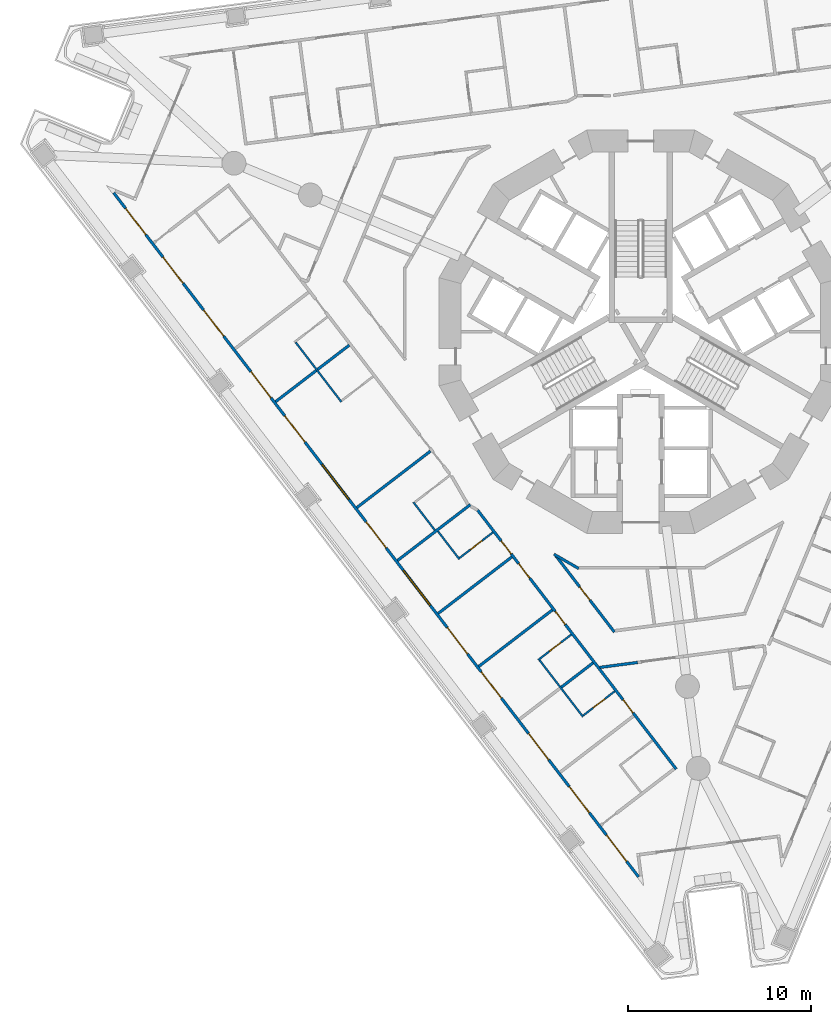
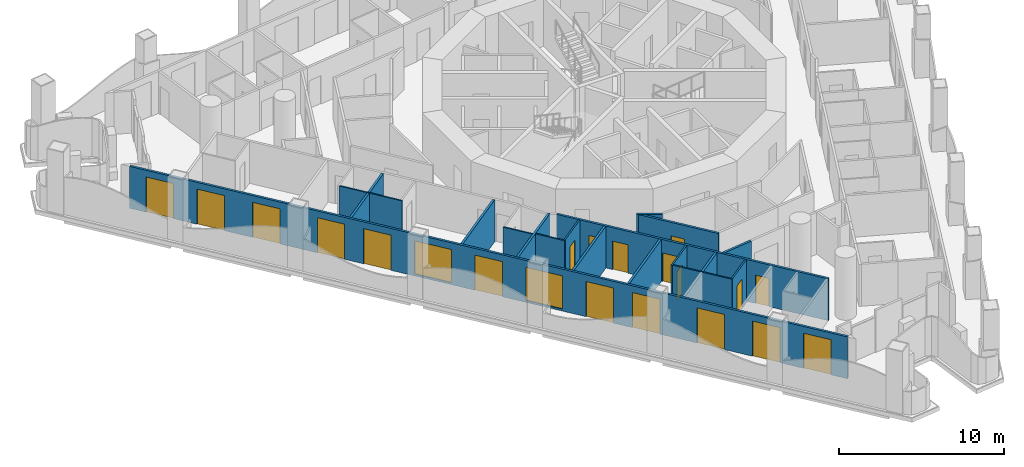
# One storey, part 2 of 19: 19 doors, 18 walls, 2 windows, 21 openings.
"""IFC4 building model written with IfcOpenShell, lengths in metres."""

from ifc_helpers import new_model, si_unit, direction, frame, frame_2d, origin, place, context, subcontext, project, spatial, polyline, rectangle, outline, extrude, material, layer, layer_set, type_object, element, fill, save


model = new_model("IFC4")

# Units and contexts
model_context = context("Model", 3, precision=1e-05, world=origin(), true_north=direction((0.0, 1.0)))
body_context = subcontext(model_context, "Body", "Model", "MODEL_VIEW")
ifc_project = project(units=[si_unit("LENGTHUNIT", "METRE"), si_unit("AREAUNIT", "SQUARE_METRE"), si_unit("VOLUMEUNIT", "CUBIC_METRE"), si_unit("PLANEANGLEUNIT", "RADIAN"), si_unit("MASSUNIT", "GRAM", prefix="KILO")], contexts=[model_context])

# Site, building, storey
site_placement = place(None, origin())
site = spatial("IfcSite", under=ifc_project, at=site_placement, CompositionType="ELEMENT")
building_placement = place(site_placement, origin())
building = spatial("IfcBuilding", under=site, at=building_placement, Name="Trine Commons Tower", CompositionType="ELEMENT")
storey_placement = place(building_placement, frame((0.0, 0.0, 79.199951171875)))
storey = spatial("IfcBuildingStorey", under=building, at=storey_placement, Name="L19", CompositionType="ELEMENT", Elevation=79.199951171875)

# Wall, openings, windows, doors
ifc_material_1 = material(Name="Aluminium-framed insulated wall panel", Category="aluminium")
ifc_layer_1 = layer(ifc_material_1, 0.14990234375)
ifc_layer_set_1 = layer_set([ifc_layer_1], Name="Aluminium-framed insulated wall panel")
wall_type_1 = type_object("IfcWallType", Name="Glazed frame wall 150, EI 60", PredefinedType="SOLIDWALL", material=ifc_layer_set_1)
wall_1_placement = place(storey_placement, frame((79.968994140625, 32.624267578125, 0.0), z_axis=(0.0, 0.0, 1.0), x_axis=(-0.608761526367, 0.793353265585, 0.0)))
wall_1 = element("IfcWall", 1, at=wall_1_placement, inside=storey, type_object=wall_type_1, Name="Glazed frame wall F3", PredefinedType="SOLIDWALL", context=body_context, shape_type="SweptSolid", body=[
    extrude(outline(polyline([(0.1494140625, 0.074951171875), (0.1494140625, -0.074951171875), (47.216796875, -0.074951171875), (47.216796875, 0.074951171875), (0.1494140625, 0.074951171875)])), origin(), (0.0, 0.0, 1.0), 3.10009765625),
])
opening_1_placement = place(wall_1_placement, frame((1.2216796875, 0.0, 0.0)))
opening_1 = element("IfcOpeningElement", 2, at=opening_1_placement, cuts=wall_1, Name="Opening BD-2F3-01", PredefinedType="OPENING", context=body_context, shape_type="SweptSolid", body=[
    extrude(rectangle(XDim=1.800048828125, YDim=2.60009765625, at=frame_2d((0.89990234375, 1.300048828125))), frame((0.0, 0.0849609375, 0.0), z_axis=(0.0, -1.0, 0.0), x_axis=(1.0, 0.0, 0.0)), (0.0, 0.0, 1.0), 0.169921875),
])
opening_2_placement = place(wall_1_placement, frame((4.5654296875, 0.0, 0.0)))
opening_2 = element("IfcOpeningElement", 3, at=opening_2_placement, cuts=wall_1, Name="Opening BD-2F3-02", PredefinedType="OPENING", context=body_context, shape_type="SweptSolid", body=[
    extrude(rectangle(XDim=1.800048828125, YDim=2.60009765625, at=frame_2d((0.89990234375, 1.300048828125))), frame((0.0, 0.0849609375, 0.0), z_axis=(0.0, -1.0, 0.0), x_axis=(1.0, 0.0, 0.0)), (0.0, 0.0, 1.0), 0.169921875),
])
opening_3_placement = place(wall_1_placement, frame((8.208984375, 0.0, 0.0)))
opening_3 = element("IfcOpeningElement", 4, at=opening_3_placement, cuts=wall_1, Name="Opening BD-2F3-03", PredefinedType="OPENING", context=body_context, shape_type="SweptSolid", body=[
    extrude(rectangle(XDim=1.800048828125, YDim=2.60009765625, at=frame_2d((0.89990234375, 1.300048828125))), frame((0.0, 0.0849609375, 0.0), z_axis=(0.0, -1.0, 0.0), x_axis=(1.0, 0.0, 0.0)), (0.0, 0.0, 1.0), 0.169921875),
])
opening_4_placement = place(wall_1_placement, frame((12.45263671875, 0.0, 0.0)))
opening_4 = element("IfcOpeningElement", 5, at=opening_4_placement, cuts=wall_1, Name="Opening BD-2F3-04", PredefinedType="OPENING", context=body_context, shape_type="SweptSolid", body=[
    extrude(rectangle(XDim=1.800048828125, YDim=2.60009765625, at=frame_2d((0.89990234375, 1.300048828125))), frame((0.0, 0.0849609375, 0.0), z_axis=(0.0, -1.0, 0.0), x_axis=(1.0, 0.0, 0.0)), (0.0, 0.0, 1.0), 0.169921875),
])
opening_5_placement = place(wall_1_placement, frame((15.49609375, 0.0, 0.0)))
opening_5 = element("IfcOpeningElement", 6, at=opening_5_placement, cuts=wall_1, Name="Opening BD-2F3-05", PredefinedType="OPENING", context=body_context, shape_type="SweptSolid", body=[
    extrude(rectangle(XDim=1.800048828125, YDim=2.60009765625, at=frame_2d((0.89990234375, 1.300048828125))), frame((0.0, 0.0849609375, 0.0), z_axis=(0.0, -1.0, 0.0), x_axis=(1.0, 0.0, 0.0)), (0.0, 0.0, 1.0), 0.169921875),
])
opening_6_placement = place(wall_1_placement, frame((18.83984375, 0.0, 0.14990234375)))
opening_6 = element("IfcOpeningElement", 7, at=opening_6_placement, cuts=wall_1, Name="Opening W-2F3-06", PredefinedType="OPENING", context=body_context, shape_type="SweptSolid", body=[
    extrude(rectangle(XDim=2.39990234375, YDim=2.449951171875, at=frame_2d((1.199951171875, 1.22509765625))), frame((0.0, 0.0849609375, 0.0), z_axis=(0.0, -1.0, 0.0), x_axis=(1.0, 0.0, 0.0)), (0.0, 0.0, 1.0), 0.169921875),
])
opening_7_placement = place(wall_1_placement, frame((22.783447265625, 0.0, 0.0)))
opening_7 = element("IfcOpeningElement", 8, at=opening_7_placement, cuts=wall_1, Name="Opening BD-2F3-07", PredefinedType="OPENING", context=body_context, shape_type="SweptSolid", body=[
    extrude(rectangle(XDim=1.800048828125, YDim=2.60009765625, at=frame_2d((0.89990234375, 1.300048828125))), frame((0.0, 0.0849609375, 0.0), z_axis=(0.0, -1.0, 0.0), x_axis=(1.0, 0.0, 0.0)), (0.0, 0.0, 1.0), 0.169921875),
])
opening_8_placement = place(wall_1_placement, frame((26.126953125, 0.0, 0.14990234375)))
opening_8 = element("IfcOpeningElement", 9, at=opening_8_placement, cuts=wall_1, Name="Opening W-2F3-08", PredefinedType="OPENING", context=body_context, shape_type="SweptSolid", body=[
    extrude(rectangle(XDim=2.39990234375, YDim=2.449951171875, at=frame_2d((1.199951171875, 1.22509765625))), frame((0.0, 0.0849609375, 0.0), z_axis=(0.0, -1.0, 0.0), x_axis=(1.0, 0.0, 0.0)), (0.0, 0.0, 1.0), 0.169921875),
])
opening_9_placement = place(wall_1_placement, frame((30.070556640625, 0.0, 0.0)))
opening_9 = element("IfcOpeningElement", 10, at=opening_9_placement, cuts=wall_1, Name="Opening BD-2F3-09", PredefinedType="OPENING", context=body_context, shape_type="SweptSolid", body=[
    extrude(rectangle(XDim=1.800048828125, YDim=2.60009765625, at=frame_2d((0.89990234375, 1.300048828125))), frame((0.0, 0.0849609375, 0.0), z_axis=(0.0, -1.0, 0.0), x_axis=(1.0, 0.0, 0.0)), (0.0, 0.0, 1.0), 0.169921875),
])
opening_10_placement = place(wall_1_placement, frame((33.1142578125, 0.0, 0.0)))
opening_10 = element("IfcOpeningElement", 11, at=opening_10_placement, cuts=wall_1, Name="Opening BD-2F3-10", PredefinedType="OPENING", context=body_context, shape_type="SweptSolid", body=[
    extrude(rectangle(XDim=1.800048828125, YDim=2.60009765625, at=frame_2d((0.89990234375, 1.300048828125))), frame((0.0, 0.0849609375, 0.0), z_axis=(0.0, -1.0, 0.0), x_axis=(1.0, 0.0, 0.0)), (0.0, 0.0, 1.0), 0.169921875),
])
opening_11_placement = place(wall_1_placement, frame((37.35791015625, 0.0, 0.0)))
opening_11 = element("IfcOpeningElement", 12, at=opening_11_placement, cuts=wall_1, Name="Opening BD-2F3-11", PredefinedType="OPENING", context=body_context, shape_type="SweptSolid", body=[
    extrude(rectangle(XDim=1.800048828125, YDim=2.60009765625, at=frame_2d((0.89990234375, 1.300048828125))), frame((0.0, 0.0849609375, 0.0), z_axis=(0.0, -1.0, 0.0), x_axis=(1.0, 0.0, 0.0)), (0.0, 0.0, 1.0), 0.169921875),
])
opening_12_placement = place(wall_1_placement, frame((41.00146484375, 0.0, 0.0)))
opening_12 = element("IfcOpeningElement", 13, at=opening_12_placement, cuts=wall_1, Name="Opening BD-2F3-12", PredefinedType="OPENING", context=body_context, shape_type="SweptSolid", body=[
    extrude(rectangle(XDim=1.800048828125, YDim=2.60009765625, at=frame_2d((0.89990234375, 1.300048828125))), frame((0.0, 0.0849609375, 0.0), z_axis=(0.0, -1.0, 0.0), x_axis=(1.0, 0.0, 0.0)), (0.0, 0.0, 1.0), 0.169921875),
])
opening_13_placement = place(wall_1_placement, frame((44.344970703125, 0.0, 0.0)))
opening_13 = element("IfcOpeningElement", 14, at=opening_13_placement, cuts=wall_1, Name="Opening BD-2F3-13", PredefinedType="OPENING", context=body_context, shape_type="SweptSolid", body=[
    extrude(rectangle(XDim=1.800048828125, YDim=2.60009765625, at=frame_2d((0.89990234375, 1.300048828125))), frame((0.0, 0.0849609375, 0.0), z_axis=(0.0, -1.0, 0.0), x_axis=(1.0, 0.0, 0.0)), (0.0, 0.0, 1.0), 0.169921875),
])
ifc_material_2 = material(Name="Anodised aluminium frame with double glazing", Category="aluminium")
window_type = type_object("IfcWindowType", Name="Fixed window 2400x2450", PartitioningType="SINGLE_PANEL", PredefinedType="WINDOW", material=ifc_material_2)
window_1_placement = place(opening_6_placement, origin())
window_1 = element("IfcWindow", 15, at=window_1_placement, inside=storey, type_object=window_type, Name="Window F3 6", OverallHeight=2.449951171875, OverallWidth=2.39990234375, PartitioningType="SINGLE_PANEL", PredefinedType="WINDOW", context=body_context, shape_type="SweptSolid", body=[
    extrude(rectangle(XDim=2.39990234375, YDim=2.449951171875, at=frame_2d((1.199951171875, 1.22509765625))), frame((0.0, 0.030029296875, 0.0), z_axis=(0.0, -1.0, 0.0), x_axis=(1.0, 0.0, 0.0)), (0.0, 0.0, 1.0), 0.06005859375),
])
fill(opening_6, window_1)
window_2_placement = place(opening_8_placement, origin())
window_2 = element("IfcWindow", 16, at=window_2_placement, inside=storey, type_object=window_type, Name="Window F3 8", OverallHeight=2.449951171875, OverallWidth=2.39990234375, PartitioningType="SINGLE_PANEL", PredefinedType="WINDOW", context=body_context, shape_type="SweptSolid", body=[
    extrude(rectangle(XDim=2.39990234375, YDim=2.449951171875, at=frame_2d((1.199951171875, 1.22509765625))), frame((0.0, 0.030029296875, 0.0), z_axis=(0.0, -1.0, 0.0), x_axis=(1.0, 0.0, 0.0)), (0.0, 0.0, 1.0), 0.06005859375),
])
fill(opening_8, window_2)
door_type_1 = type_object("IfcDoorType", Name="Sliding loggia door 1800x2600", OperationType="SLIDING_TO_LEFT", PredefinedType="DOOR", material=ifc_material_2)
door_1_placement = place(opening_1_placement, origin())
door_1 = element("IfcDoor", 17, at=door_1_placement, inside=storey, type_object=door_type_1, Name="Loggia door F3 1", OperationType="SLIDING_TO_LEFT", OverallHeight=2.60009765625, OverallWidth=1.800048828125, PredefinedType="DOOR", context=body_context, shape_type="SweptSolid", body=[
    extrude(rectangle(XDim=1.800048828125, YDim=2.60009765625, at=frame_2d((0.89990234375, 1.300048828125))), frame((0.0, 0.02490234375, 0.0), z_axis=(0.0, -1.0, 0.0), x_axis=(1.0, 0.0, 0.0)), (0.0, 0.0, 1.0), 0.050048828125),
])
fill(opening_1, door_1)
door_2_placement = place(opening_2_placement, origin())
door_2 = element("IfcDoor", 18, at=door_2_placement, inside=storey, type_object=door_type_1, Name="Loggia door F3 2", OperationType="SLIDING_TO_LEFT", OverallHeight=2.60009765625, OverallWidth=1.800048828125, PredefinedType="DOOR", context=body_context, shape_type="SweptSolid", body=[
    extrude(rectangle(XDim=1.800048828125, YDim=2.60009765625, at=frame_2d((0.89990234375, 1.300048828125))), frame((0.0, 0.02490234375, 0.0), z_axis=(0.0, -1.0, 0.0), x_axis=(1.0, 0.0, 0.0)), (0.0, 0.0, 1.0), 0.050048828125),
])
fill(opening_2, door_2)
door_3_placement = place(opening_3_placement, origin())
door_3 = element("IfcDoor", 19, at=door_3_placement, inside=storey, type_object=door_type_1, Name="Loggia door F3 3", OperationType="SLIDING_TO_LEFT", OverallHeight=2.60009765625, OverallWidth=1.800048828125, PredefinedType="DOOR", context=body_context, shape_type="SweptSolid", body=[
    extrude(rectangle(XDim=1.800048828125, YDim=2.60009765625, at=frame_2d((0.89990234375, 1.300048828125))), frame((0.0, 0.02490234375, 0.0), z_axis=(0.0, -1.0, 0.0), x_axis=(1.0, 0.0, 0.0)), (0.0, 0.0, 1.0), 0.050048828125),
])
fill(opening_3, door_3)
door_4_placement = place(opening_4_placement, origin())
door_4 = element("IfcDoor", 20, at=door_4_placement, inside=storey, type_object=door_type_1, Name="Loggia door F3 4", OperationType="SLIDING_TO_LEFT", OverallHeight=2.60009765625, OverallWidth=1.800048828125, PredefinedType="DOOR", context=body_context, shape_type="SweptSolid", body=[
    extrude(rectangle(XDim=1.800048828125, YDim=2.60009765625, at=frame_2d((0.89990234375, 1.300048828125))), frame((0.0, 0.02490234375, 0.0), z_axis=(0.0, -1.0, 0.0), x_axis=(1.0, 0.0, 0.0)), (0.0, 0.0, 1.0), 0.050048828125),
])
fill(opening_4, door_4)
door_5_placement = place(opening_5_placement, origin())
door_5 = element("IfcDoor", 21, at=door_5_placement, inside=storey, type_object=door_type_1, Name="Loggia door F3 5", OperationType="SLIDING_TO_LEFT", OverallHeight=2.60009765625, OverallWidth=1.800048828125, PredefinedType="DOOR", context=body_context, shape_type="SweptSolid", body=[
    extrude(rectangle(XDim=1.800048828125, YDim=2.60009765625, at=frame_2d((0.89990234375, 1.300048828125))), frame((0.0, 0.02490234375, 0.0), z_axis=(0.0, -1.0, 0.0), x_axis=(1.0, 0.0, 0.0)), (0.0, 0.0, 1.0), 0.050048828125),
])
fill(opening_5, door_5)
door_6_placement = place(opening_7_placement, origin())
door_6 = element("IfcDoor", 22, at=door_6_placement, inside=storey, type_object=door_type_1, Name="Loggia door F3 7", OperationType="SLIDING_TO_LEFT", OverallHeight=2.60009765625, OverallWidth=1.800048828125, PredefinedType="DOOR", context=body_context, shape_type="SweptSolid", body=[
    extrude(rectangle(XDim=1.800048828125, YDim=2.60009765625, at=frame_2d((0.89990234375, 1.300048828125))), frame((0.0, 0.02490234375, 0.0), z_axis=(0.0, -1.0, 0.0), x_axis=(1.0, 0.0, 0.0)), (0.0, 0.0, 1.0), 0.050048828125),
])
fill(opening_7, door_6)
door_7_placement = place(opening_9_placement, origin())
door_7 = element("IfcDoor", 23, at=door_7_placement, inside=storey, type_object=door_type_1, Name="Loggia door F3 9", OperationType="SLIDING_TO_LEFT", OverallHeight=2.60009765625, OverallWidth=1.800048828125, PredefinedType="DOOR", context=body_context, shape_type="SweptSolid", body=[
    extrude(rectangle(XDim=1.800048828125, YDim=2.60009765625, at=frame_2d((0.89990234375, 1.300048828125))), frame((0.0, 0.02490234375, 0.0), z_axis=(0.0, -1.0, 0.0), x_axis=(1.0, 0.0, 0.0)), (0.0, 0.0, 1.0), 0.050048828125),
])
fill(opening_9, door_7)
door_8_placement = place(opening_10_placement, origin())
door_8 = element("IfcDoor", 24, at=door_8_placement, inside=storey, type_object=door_type_1, Name="Loggia door F3 10", OperationType="SLIDING_TO_LEFT", OverallHeight=2.60009765625, OverallWidth=1.800048828125, PredefinedType="DOOR", context=body_context, shape_type="SweptSolid", body=[
    extrude(rectangle(XDim=1.800048828125, YDim=2.60009765625, at=frame_2d((0.89990234375, 1.300048828125))), frame((0.0, 0.02490234375, 0.0), z_axis=(0.0, -1.0, 0.0), x_axis=(1.0, 0.0, 0.0)), (0.0, 0.0, 1.0), 0.050048828125),
])
fill(opening_10, door_8)
door_9_placement = place(opening_11_placement, origin())
door_9 = element("IfcDoor", 25, at=door_9_placement, inside=storey, type_object=door_type_1, Name="Loggia door F3 11", OperationType="SLIDING_TO_LEFT", OverallHeight=2.60009765625, OverallWidth=1.800048828125, PredefinedType="DOOR", context=body_context, shape_type="SweptSolid", body=[
    extrude(rectangle(XDim=1.800048828125, YDim=2.60009765625, at=frame_2d((0.89990234375, 1.300048828125))), frame((0.0, 0.02490234375, 0.0), z_axis=(0.0, -1.0, 0.0), x_axis=(1.0, 0.0, 0.0)), (0.0, 0.0, 1.0), 0.050048828125),
])
fill(opening_11, door_9)
door_10_placement = place(opening_12_placement, origin())
door_10 = element("IfcDoor", 26, at=door_10_placement, inside=storey, type_object=door_type_1, Name="Loggia door F3 12", OperationType="SLIDING_TO_LEFT", OverallHeight=2.60009765625, OverallWidth=1.800048828125, PredefinedType="DOOR", context=body_context, shape_type="SweptSolid", body=[
    extrude(rectangle(XDim=1.800048828125, YDim=2.60009765625, at=frame_2d((0.89990234375, 1.300048828125))), frame((0.0, 0.02490234375, 0.0), z_axis=(0.0, -1.0, 0.0), x_axis=(1.0, 0.0, 0.0)), (0.0, 0.0, 1.0), 0.050048828125),
])
fill(opening_12, door_10)
door_11_placement = place(opening_13_placement, origin())
door_11 = element("IfcDoor", 27, at=door_11_placement, inside=storey, type_object=door_type_1, Name="Loggia door F3 13", OperationType="SLIDING_TO_LEFT", OverallHeight=2.60009765625, OverallWidth=1.800048828125, PredefinedType="DOOR", context=body_context, shape_type="SweptSolid", body=[
    extrude(rectangle(XDim=1.800048828125, YDim=2.60009765625, at=frame_2d((0.89990234375, 1.300048828125))), frame((0.0, 0.02490234375, 0.0), z_axis=(0.0, -1.0, 0.0), x_axis=(1.0, 0.0, 0.0)), (0.0, 0.0, 1.0), 0.050048828125),
])
fill(opening_13, door_11)

# Walls
ifc_material_3 = material(Name="Gypsum plasterboard on steel stud", Category="steel")
ifc_layer_2 = layer(ifc_material_3, 0.14990234375)
ifc_layer_set_2 = layer_set([ifc_layer_2], Name="Gypsum plasterboard on steel stud")
wall_type_2 = type_object("IfcWallType", Name="Unit and corridor wall 150 mm, EI 60", PredefinedType="PARTITIONING", material=ifc_layer_set_2)
wall_2_placement = place(storey_placement, frame((60.065673828125, 58.686279296875, 0.0), z_axis=(0.0, 0.0, 1.0), x_axis=(0.793444149255, 0.608643066184, 0.0)))
element("IfcWall", 28, at=wall_2_placement, inside=storey, type_object=wall_type_2, Name="Partition 011", PredefinedType="PARTITIONING", context=body_context, shape_type="SweptSolid", body=[
    extrude(rectangle(XDim=5.063720703125, YDim=0.14990234375, at=frame_2d((2.53173828125, 0.0))), origin(), (0.0, 0.0, 1.0), 3.10009765625),
])
wall_3_placement = place(storey_placement, frame((64.501708984375, 52.904296875, 0.0), z_axis=(0.0, 0.0, 1.0), x_axis=(0.793351017656, 0.608764455913, 0.0)))
element("IfcWall", 29, at=wall_3_placement, inside=storey, type_object=wall_type_2, Name="Partition 030", PredefinedType="PARTITIONING", context=body_context, shape_type="SweptSolid", body=[
    extrude(rectangle(XDim=5.064453125, YDim=0.14990234375, at=frame_2d((2.5322265625, 0.0))), origin(), (0.0, 0.0, 1.0), 3.10009765625),
])
wall_4_placement = place(storey_placement, frame((66.7197265625, 50.014404296875, 0.0), z_axis=(0.0, 0.0, 1.0), x_axis=(0.793383103562, 0.608722638796, 0.0)))
element("IfcWall", 30, at=wall_4_placement, inside=storey, type_object=wall_type_2, Name="Partition 038", PredefinedType="PARTITIONING", context=body_context, shape_type="SweptSolid", body=[
    extrude(rectangle(XDim=5.017333984375, YDim=0.14990234375, at=frame_2d((2.5087890625, 0.0))), origin(), (0.0, 0.0, 1.0), 3.10009765625),
])
wall_5_placement = place(storey_placement, frame((68.937744140625, 47.123291015625, 0.0), z_axis=(0.0, 0.0, 1.0), x_axis=(0.793351017656, 0.608764455913, 0.0)))
element("IfcWall", 31, at=wall_5_placement, inside=storey, type_object=wall_type_2, Name="Partition 046", PredefinedType="PARTITIONING", context=body_context, shape_type="SweptSolid", body=[
    extrude(rectangle(XDim=5.064453125, YDim=0.14990234375, at=frame_2d((2.5322265625, 0.0))), origin(), (0.0, 0.0, 1.0), 3.10009765625),
])

# Wall, openings, doors
wall_6_placement = place(storey_placement, frame((71.087890625, 52.76611328125, 0.0), z_axis=(0.0, 0.0, 1.0), x_axis=(0.608663951432, -0.793428127953, 0.0)))
wall_6 = element("IfcWall", 32, at=wall_6_placement, inside=storey, type_object=wall_type_2, Name="Partition 054", PredefinedType="PARTITIONING", context=body_context, shape_type="SweptSolid", body=[
    extrude(rectangle(XDim=17.8173828125, YDim=0.14990234375, at=frame_2d((8.90869140625, 0.0))), origin(), (0.0, 0.0, 1.0), 3.10009765625),
])
opening_14_placement = place(wall_6_placement, frame((13.048095703125, 0.0, 0.0)))
opening_14 = element("IfcOpeningElement", 33, at=opening_14_placement, cuts=wall_6, Name="Opening D-2C25", PredefinedType="OPENING", context=body_context, shape_type="SweptSolid", body=[
    extrude(rectangle(XDim=0.89990234375, YDim=2.10009765625, at=frame_2d((0.449951171875, 1.050048828125))), frame((0.0, 0.0849609375, 0.0), z_axis=(0.0, -1.0, 0.0), x_axis=(1.0, 0.0, 0.0)), (0.0, 0.0, 1.0), 0.169921875),
])
opening_15_placement = place(wall_6_placement, frame((6.96142578125, 0.0, 0.0)))
opening_15 = element("IfcOpeningElement", 34, at=opening_15_placement, cuts=wall_6, Name="Opening D-2C26", PredefinedType="OPENING", context=body_context, shape_type="SweptSolid", body=[
    extrude(rectangle(XDim=0.89990234375, YDim=2.10009765625, at=frame_2d((0.449951171875, 1.050048828125))), frame((0.0, 0.0849609375, 0.0), z_axis=(0.0, -1.0, 0.0), x_axis=(1.0, 0.0, 0.0)), (0.0, 0.0, 1.0), 0.169921875),
])
opening_16_placement = place(wall_6_placement, frame((3.68603515625, 0.0, 0.0)))
opening_16 = element("IfcOpeningElement", 35, at=opening_16_placement, cuts=wall_6, Name="Opening D-2C27", PredefinedType="OPENING", context=body_context, shape_type="SweptSolid", body=[
    extrude(rectangle(XDim=1.0, YDim=2.10009765625, at=frame_2d((0.5, 1.050048828125))), frame((0.0, 0.0849609375, 0.0), z_axis=(0.0, -1.0, 0.0), x_axis=(1.0, 0.0, 0.0)), (0.0, 0.0, 1.0), 0.169921875),
])
opening_17_placement = place(wall_6_placement, frame((2.11767578125, 0.0, 0.0)))
opening_17 = element("IfcOpeningElement", 36, at=opening_17_placement, cuts=wall_6, Name="Opening D-2C28", PredefinedType="OPENING", context=body_context, shape_type="SweptSolid", body=[
    extrude(rectangle(XDim=0.89990234375, YDim=2.10009765625, at=frame_2d((0.449951171875, 1.050048828125))), frame((0.0, 0.0849609375, 0.0), z_axis=(0.0, -1.0, 0.0), x_axis=(1.0, 0.0, 0.0)), (0.0, 0.0, 1.0), 0.169921875),
])
ifc_material_4 = material(Name="Painted timber", Category="wood")
door_type_2 = type_object("IfcDoorType", Name="Amenity room door 1000 x 2100, NOT RATED", OperationType="NOTDEFINED", PredefinedType="DOOR", material=ifc_material_4)
door_12_placement = place(opening_16_placement, frame((1.0, 0.0, 0.0), z_axis=(0.0, 0.0, 1.0), x_axis=(-1.0, 0.0, 0.0)))
door_12 = element("IfcDoor", 37, at=door_12_placement, inside=storey, type_object=door_type_2, Name="Door D-2C27", OperationType="SINGLE_SWING_RIGHT", OverallHeight=2.10009765625, OverallWidth=1.0, PredefinedType="DOOR", context=body_context, shape_type="SweptSolid", body=[
    extrude(rectangle(XDim=1.0, YDim=2.10009765625, at=frame_2d((0.5, 1.050048828125))), frame((0.0, 0.02490234375, 0.0), z_axis=(0.0, -1.0, 0.0), x_axis=(1.0, 0.0, 0.0)), (0.0, 0.0, 1.0), 0.050048828125),
])
fill(opening_16, door_12)
ifc_material_5 = material(Name="Timber fire door set", Category="wood")
door_type_3 = type_object("IfcDoorType", Name="Bedroom door 900 x 2100, FD30S", OperationType="NOTDEFINED", PredefinedType="DOOR", material=ifc_material_5)
door_13_placement = place(opening_14_placement, frame((0.89990234375, 0.0, 0.0), z_axis=(0.0, 0.0, 1.0), x_axis=(-1.0, 0.0, 0.0)))
door_13 = element("IfcDoor", 38, at=door_13_placement, inside=storey, type_object=door_type_3, Name="Door D-2C25", OperationType="SINGLE_SWING_LEFT", OverallHeight=2.10009765625, OverallWidth=0.89990234375, PredefinedType="DOOR", context=body_context, shape_type="SweptSolid", body=[
    extrude(rectangle(XDim=0.89990234375, YDim=2.10009765625, at=frame_2d((0.449951171875, 1.050048828125))), frame((0.0, 0.02490234375, 0.0), z_axis=(0.0, -1.0, 0.0), x_axis=(1.0, 0.0, 0.0)), (0.0, 0.0, 1.0), 0.050048828125),
])
fill(opening_14, door_13)
door_14_placement = place(opening_15_placement, frame((0.89990234375, 0.0, 0.0), z_axis=(0.0, 0.0, 1.0), x_axis=(-1.0, 0.0, 0.0)))
door_14 = element("IfcDoor", 39, at=door_14_placement, inside=storey, type_object=door_type_3, Name="Door D-2C26", OperationType="SINGLE_SWING_RIGHT", OverallHeight=2.10009765625, OverallWidth=0.89990234375, PredefinedType="DOOR", context=body_context, shape_type="SweptSolid", body=[
    extrude(rectangle(XDim=0.89990234375, YDim=2.10009765625, at=frame_2d((0.449951171875, 1.050048828125))), frame((0.0, 0.02490234375, 0.0), z_axis=(0.0, -1.0, 0.0), x_axis=(1.0, 0.0, 0.0)), (0.0, 0.0, 1.0), 0.050048828125),
])
fill(opening_15, door_14)
door_15_placement = place(opening_17_placement, frame((0.89990234375, 0.0, 0.0), z_axis=(0.0, 0.0, 1.0), x_axis=(-1.0, 0.0, 0.0)))
door_15 = element("IfcDoor", 40, at=door_15_placement, inside=storey, type_object=door_type_3, Name="Door D-2C28", OperationType="SINGLE_SWING_RIGHT", OverallHeight=2.10009765625, OverallWidth=0.89990234375, PredefinedType="DOOR", context=body_context, shape_type="SweptSolid", body=[
    extrude(rectangle(XDim=0.89990234375, YDim=2.10009765625, at=frame_2d((0.449951171875, 1.050048828125))), frame((0.0, 0.02490234375, 0.0), z_axis=(0.0, -1.0, 0.0), x_axis=(1.0, 0.0, 0.0)), (0.0, 0.0, 1.0), 0.050048828125),
])
fill(opening_17, door_15)

# Walls
wall_7_placement = place(storey_placement, frame((71.15576171875, 44.232421875, 0.0), z_axis=(0.0, 0.0, 1.0), x_axis=(0.793374300247, 0.608734112488, 0.0)))
element("IfcWall", 41, at=wall_7_placement, inside=storey, type_object=wall_type_2, Name="Partition 055", PredefinedType="PARTITIONING", context=body_context, shape_type="SweptSolid", body=[
    extrude(rectangle(XDim=5.064208984375, YDim=0.14990234375, at=frame_2d((2.5322265625, 0.0))), origin(), (0.0, 0.0, 1.0), 3.10009765625),
])
wall_8_placement = place(storey_placement, frame((75.260986328125, 50.35546875, 0.0), z_axis=(0.0, 0.0, 1.0), x_axis=(0.866029224906, -0.499993381564, 0.0)))
element("IfcWall", 42, at=wall_8_placement, inside=storey, type_object=wall_type_2, Name="Partition 062", PredefinedType="PARTITIONING", context=body_context, shape_type="SweptSolid", body=[
    extrude(rectangle(XDim=1.56005859375, YDim=0.14990234375, at=frame_2d((0.780029296875, 0.0))), origin(), (0.0, 0.0, 1.0), 3.10009765625),
])

# Wall, opening, door
wall_9_placement = place(storey_placement, frame((75.373779296875, 50.257568359375, 0.0), z_axis=(0.0, 0.0, 1.0), x_axis=(0.608769592338, -0.793347076282, 0.0)))
wall_9 = element("IfcWall", 43, at=wall_9_placement, inside=storey, type_object=wall_type_2, Name="Partition 063", PredefinedType="PARTITIONING", context=body_context, shape_type="SweptSolid", body=[
    extrude(rectangle(XDim=5.22998046875, YDim=0.14990234375, at=frame_2d((2.614990234375, 0.0))), origin(), (0.0, 0.0, 1.0), 3.10009765625),
])
opening_18_placement = place(wall_9_placement, frame((2.12744140625, 0.0, 0.0)))
opening_18 = element("IfcOpeningElement", 44, at=opening_18_placement, cuts=wall_9, Name="Opening D-2C37", PredefinedType="OPENING", context=body_context, shape_type="SweptSolid", body=[
    extrude(rectangle(XDim=0.89990234375, YDim=2.10009765625, at=frame_2d((0.449951171875, 1.050048828125))), frame((0.0, 0.0849609375, 0.0), z_axis=(0.0, -1.0, 0.0), x_axis=(1.0, 0.0, 0.0)), (0.0, 0.0, 1.0), 0.169921875),
])
door_type_4 = type_object("IfcDoorType", Name="Service door 900 x 2100, FD30S", OperationType="NOTDEFINED", PredefinedType="DOOR", material=ifc_material_5)
door_16_placement = place(opening_18_placement, origin())
door_16 = element("IfcDoor", 45, at=door_16_placement, inside=storey, type_object=door_type_4, Name="Door D-2C37", OperationType="SINGLE_SWING_LEFT", OverallHeight=2.10009765625, OverallWidth=0.89990234375, PredefinedType="DOOR", context=body_context, shape_type="SweptSolid", body=[
    extrude(rectangle(XDim=0.89990234375, YDim=2.10009765625, at=frame_2d((0.449951171875, 1.050048828125))), frame((0.0, 0.02490234375, 0.0), z_axis=(0.0, -1.0, 0.0), x_axis=(1.0, 0.0, 0.0)), (0.0, 0.0, 1.0), 0.050048828125),
])
fill(opening_18, door_16)

# Walls
wall_10_placement = place(storey_placement, frame((75.666748046875, 43.100341796875, 0.0), z_axis=(0.0, 0.0, 1.0), x_axis=(0.793253832781, 0.608891087781, 0.0)))
element("IfcWall", 46, at=wall_10_placement, inside=storey, type_object=wall_type_2, Name="Partition 065", PredefinedType="PARTITIONING", context=body_context, shape_type="SweptSolid", body=[
    extrude(rectangle(XDim=2.17431640625, YDim=0.14990234375, at=frame_2d((1.087158203125, 0.0))), origin(), (0.0, 0.0, 1.0), 3.10009765625),
])
wall_11_placement = place(storey_placement, frame((77.75732421875, 44.177734375, 0.0), z_axis=(0.0, 0.0, 1.0), x_axis=(0.99142565409, 0.130672003172, 0.0)))
element("IfcWall", 47, at=wall_11_placement, inside=storey, type_object=wall_type_2, Name="Partition 071", PredefinedType="PARTITIONING", context=body_context, shape_type="SweptSolid", body=[
    extrude(rectangle(XDim=2.090576171875, YDim=0.14990234375, at=frame_2d((1.04541015625, 0.0))), origin(), (0.0, 0.0, 1.0), 3.10009765625),
])
ifc_layer_3 = layer(ifc_material_3, 0.10009765625)
ifc_layer_set_3 = layer_set([ifc_layer_3], Name="Gypsum plasterboard on steel stud")
wall_type_3 = type_object("IfcWallType", Name="Unit partition 100 mm, no rating", PredefinedType="PARTITIONING", material=ifc_layer_set_3)
wall_12_placement = place(storey_placement, frame((61.161376953125, 61.92138671875, 0.0), z_axis=(0.0, 0.0, 1.0), x_axis=(0.608737740177, -0.793371516809, 0.0)))
element("IfcWall", 48, at=wall_12_placement, inside=storey, type_object=wall_type_3, Name="Partition 016", PredefinedType="PARTITIONING", context=body_context, shape_type="SweptSolid", body=[
    extrude(rectangle(XDim=4.100341796875, YDim=0.10009765625, at=frame_2d((2.05029296875, 0.0))), origin(), (0.0, 0.0, 1.0), 3.10009765625),
])
wall_13_placement = place(storey_placement, frame((67.584716796875, 53.19873046875, 0.0), z_axis=(0.0, 0.0, 1.0), x_axis=(0.608404928037, -0.793626765892, 0.0)))
element("IfcWall", 49, at=wall_13_placement, inside=storey, type_object=wall_type_3, Name="Partition 042", PredefinedType="PARTITIONING", context=body_context, shape_type="SweptSolid", body=[
    extrude(rectangle(XDim=1.92578125, YDim=0.10009765625, at=frame_2d((0.962890625, 0.0))), origin(), (0.0, 0.0, 1.0), 3.10009765625),
])
wall_14_placement = place(storey_placement, frame((68.9248046875, 51.611572265625, 0.0), z_axis=(0.0, 0.0, 1.0), x_axis=(0.608649853766, -0.793438942522, 0.0)))
element("IfcWall", 50, at=wall_14_placement, inside=storey, type_object=wall_type_3, Name="Partition 045", PredefinedType="PARTITIONING", context=body_context, shape_type="SweptSolid", body=[
    extrude(rectangle(XDim=1.925048828125, YDim=0.10009765625, at=frame_2d((0.96240234375, 0.0))), origin(), (0.0, 0.0, 1.0), 3.10009765625),
])

# Wall, opening, door
wall_15_placement = place(storey_placement, frame((70.105712890625, 50.154296875, 0.0), z_axis=(0.0, 0.0, 1.0), x_axis=(0.793486347076, 0.608588051972, 0.0)))
wall_15 = element("IfcWall", 51, at=wall_15_placement, inside=storey, type_object=wall_type_3, Name="Partition 048", PredefinedType="PARTITIONING", context=body_context, shape_type="SweptSolid", body=[
    extrude(rectangle(XDim=2.292236328125, YDim=0.10009765625, at=frame_2d((1.14599609375, 0.0))), origin(), (0.0, 0.0, 1.0), 3.10009765625),
])
opening_19_placement = place(wall_15_placement, frame((0.74609375, 0.0, 0.0)))
opening_19 = element("IfcOpeningElement", 52, at=opening_19_placement, cuts=wall_15, Name="Opening D-2C60", PredefinedType="OPENING", context=body_context, shape_type="SweptSolid", body=[
    extrude(rectangle(XDim=0.800048828125, YDim=2.10009765625, at=frame_2d((0.39990234375, 1.050048828125))), frame((0.0, 0.06005859375, 0.0), z_axis=(0.0, -1.0, 0.0), x_axis=(1.0, 0.0, 0.0)), (0.0, 0.0, 1.0), 0.1201171875),
])
door_type_5 = type_object("IfcDoorType", Name="Internal door 800 x 2100, NOT RATED", OperationType="NOTDEFINED", PredefinedType="DOOR", material=ifc_material_4)
door_17_placement = place(opening_19_placement, frame((0.800048828125, 0.0, 0.0), z_axis=(0.0, 0.0, 1.0), x_axis=(-1.0, 0.0, 0.0)))
door_17 = element("IfcDoor", 53, at=door_17_placement, inside=storey, type_object=door_type_5, Name="Door D-2C60", OperationType="SINGLE_SWING_LEFT", OverallHeight=2.10009765625, OverallWidth=0.800048828125, PredefinedType="DOOR", context=body_context, shape_type="SweptSolid", body=[
    extrude(rectangle(XDim=0.800048828125, YDim=2.10009765625, at=frame_2d((0.39990234375, 1.050048828125))), frame((0.0, 0.02490234375, 0.0), z_axis=(0.0, -1.0, 0.0), x_axis=(1.0, 0.0, 0.0)), (0.0, 0.0, 1.0), 0.050048828125),
])
fill(opening_19, door_17)

wall_16_placement = place(storey_placement, frame((74.3994140625, 44.586669921875, 0.0), z_axis=(0.0, 0.0, 1.0), x_axis=(0.793437070432, 0.608652294224, 0.0)))
wall_16 = element("IfcWall", 54, at=wall_16_placement, inside=storey, type_object=wall_type_3, Name="Partition 060", PredefinedType="PARTITIONING", context=body_context, shape_type="SweptSolid", body=[
    extrude(rectangle(XDim=2.275146484375, YDim=0.10009765625, at=frame_2d((1.1376953125, 0.0))), origin(), (0.0, 0.0, 1.0), 3.10009765625),
])
opening_20_placement = place(wall_16_placement, frame((0.762451171875, 0.0, 0.0)))
opening_20 = element("IfcOpeningElement", 55, at=opening_20_placement, cuts=wall_16, Name="Opening D-2C59", PredefinedType="OPENING", context=body_context, shape_type="SweptSolid", body=[
    extrude(rectangle(XDim=0.800048828125, YDim=2.10009765625, at=frame_2d((0.39990234375, 1.050048828125))), frame((0.0, 0.06005859375, 0.0), z_axis=(0.0, -1.0, 0.0), x_axis=(1.0, 0.0, 0.0)), (0.0, 0.0, 1.0), 0.1201171875),
])
door_18_placement = place(opening_20_placement, origin())
door_18 = element("IfcDoor", 56, at=door_18_placement, inside=storey, type_object=door_type_5, Name="Door D-2C59", OperationType="SINGLE_SWING_RIGHT", OverallHeight=2.10009765625, OverallWidth=0.800048828125, PredefinedType="DOOR", context=body_context, shape_type="SweptSolid", body=[
    extrude(rectangle(XDim=0.800048828125, YDim=2.10009765625, at=frame_2d((0.39990234375, 1.050048828125))), frame((0.0, 0.02490234375, 0.0), z_axis=(0.0, -1.0, 0.0), x_axis=(1.0, 0.0, 0.0)), (0.0, 0.0, 1.0), 0.050048828125),
])
fill(opening_20, door_18)

# Wall
wall_17_placement = place(storey_placement, frame((74.469482421875, 44.577392578125, 0.0), z_axis=(0.0, 0.0, 1.0), x_axis=(0.608905811043, -0.793242531183, 0.0)))
element("IfcWall", 57, at=wall_17_placement, inside=storey, type_object=wall_type_3, Name="Partition 061", PredefinedType="PARTITIONING", context=body_context, shape_type="SweptSolid", body=[
    extrude(rectangle(XDim=3.900390625, YDim=0.10009765625, at=frame_2d((1.9501953125, 0.0))), origin(), (0.0, 0.0, 1.0), 3.10009765625),
])

# Wall, opening, door
wall_18_placement = place(storey_placement, frame((76.853759765625, 41.553466796875, 0.0), z_axis=(0.0, 0.0, 1.0), x_axis=(0.793308064866, 0.608820428549, 0.0)))
wall_18 = element("IfcWall", 58, at=wall_18_placement, inside=storey, type_object=wall_type_3, Name="Partition 070", PredefinedType="PARTITIONING", context=body_context, shape_type="SweptSolid", body=[
    extrude(rectangle(XDim=2.17431640625, YDim=0.10009765625, at=frame_2d((1.087158203125, 0.0))), origin(), (0.0, 0.0, 1.0), 3.10009765625),
])
opening_21_placement = place(wall_18_placement, frame((0.687255859375, 0.0, 0.0)))
opening_21 = element("IfcOpeningElement", 59, at=opening_21_placement, cuts=wall_18, Name="Opening D-2C58", PredefinedType="OPENING", context=body_context, shape_type="SweptSolid", body=[
    extrude(rectangle(XDim=0.800048828125, YDim=2.10009765625, at=frame_2d((0.39990234375, 1.050048828125))), frame((0.0, 0.06005859375, 0.0), z_axis=(0.0, -1.0, 0.0), x_axis=(1.0, 0.0, 0.0)), (0.0, 0.0, 1.0), 0.1201171875),
])
door_19_placement = place(opening_21_placement, frame((0.800048828125, 0.0, 0.0), z_axis=(0.0, 0.0, 1.0), x_axis=(-1.0, 0.0, 0.0)))
door_19 = element("IfcDoor", 60, at=door_19_placement, inside=storey, type_object=door_type_5, Name="Door D-2C58", OperationType="SINGLE_SWING_LEFT", OverallHeight=2.10009765625, OverallWidth=0.800048828125, PredefinedType="DOOR", context=body_context, shape_type="SweptSolid", body=[
    extrude(rectangle(XDim=0.800048828125, YDim=2.10009765625, at=frame_2d((0.39990234375, 1.050048828125))), frame((0.0, 0.02490234375, 0.0), z_axis=(0.0, -1.0, 0.0), x_axis=(1.0, 0.0, 0.0)), (0.0, 0.0, 1.0), 0.050048828125),
])
fill(opening_21, door_19)

save(model, "model.ifc")
